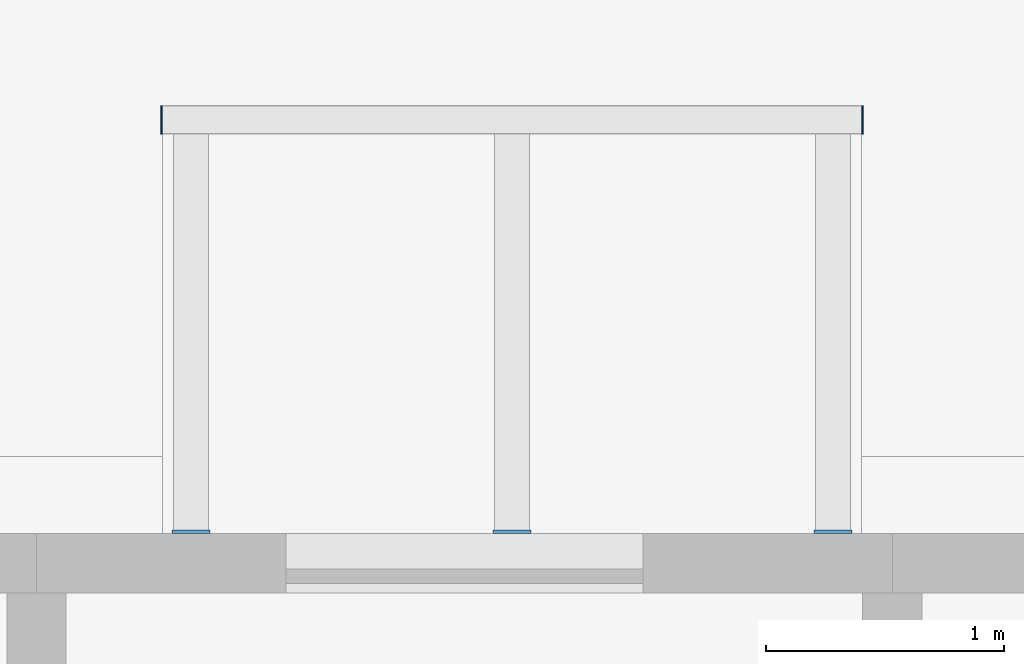
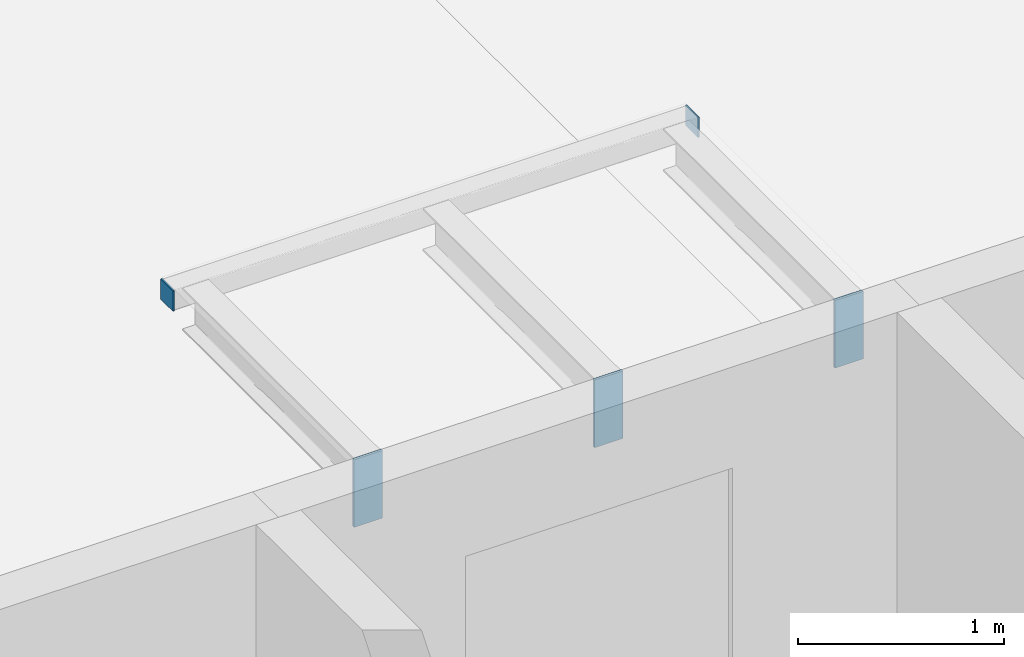
# One storey, part 86 of 112: 5 discrete accessories.
"""IFC4 building model written with IfcOpenShell, lengths in metres."""

import ifcopenshell
import ifcopenshell.guid

model = None  # the IFC model being written
_history = None  # IfcOwnerHistory: only IFC2X3 demands one
_inside = {}  # id of a spatial element -> (the spatial element, [elements in it])
_under = {}  # id of a project, library or spatial element -> (it, [spatial elements below it])
_declared = {}  # id of a project -> (the project, [libraries it declares])
_typed = {}  # id of a type object -> (the type object, [elements of that type])
_made_of = {}  # id of a material, layer set ... -> (it, [elements and type objects made of it])


def new_model(schema):
    """Start an empty IFC model of exactly this schema.

    Asked for "IFC4X3", IfcOpenShell would pick the latest addendum, in which some entities
    have other attributes; the version numbers below select the first issue.
    IFC2X3 requires an IfcOwnerHistory on every rooted entity: one is made here for all.
    """
    global model, _history
    if schema == "IFC4X3":
        model = ifcopenshell.file(schema_version=(4, 3, 0, 0))
    else:
        model = ifcopenshell.file(schema=schema)
    _inside.clear()
    _under.clear()
    _declared.clear()
    _typed.clear()
    _made_of.clear()
    _history = None
    if model.schema == "IFC2X3":
        org = make("IfcOrganization", Name="unknown")
        user = make(
            "IfcPersonAndOrganization",
            ThePerson=make("IfcPerson", FamilyName="unknown"),
            TheOrganization=org,
        )
        app = make(
            "IfcApplication",
            ApplicationDeveloper=org,
            Version="unknown",
            ApplicationFullName="unknown",
            ApplicationIdentifier="unknown",
        )
        _history = make(
            "IfcOwnerHistory",
            OwningUser=user,
            OwningApplication=app,
            ChangeAction="ADDED",
            CreationDate=0,
        )
    return model


def make(cls, **values):
    """One entity of the class cls with the attributes given. An attribute that is None is left unset."""
    return model.create_entity(
        cls, **{name: value for name, value in values.items() if value is not None}
    )


def rooted(cls, **values):
    """An entity with a GlobalId (a new one), such as an element, a storey or a relation."""
    return make(cls, GlobalId=ifcopenshell.guid.new(), OwnerHistory=_history, **values)


def si_unit(unit_type, name, prefix=None):
    """IfcSIUnit, for example si_unit("LENGTHUNIT", "METRE", prefix="MILLI")."""
    return make("IfcSIUnit", UnitType=unit_type, Prefix=prefix, Name=name)


def assignment(units):
    """IfcUnitAssignment: the units of a project."""
    return None if units is None else make("IfcUnitAssignment", Units=units)


def point(xyz):
    """IfcCartesianPoint."""
    return None if xyz is None else make("IfcCartesianPoint", Coordinates=xyz)


def direction(xyz):
    """IfcDirection."""
    return None if xyz is None else make("IfcDirection", DirectionRatios=xyz)


def frame(location, z_axis=None, x_axis=None):
    """IfcAxis2Placement3D, a coordinate frame: its origin and axes. An axis left out is left unset."""
    return make(
        "IfcAxis2Placement3D",
        Location=point(location),
        Axis=direction(z_axis),
        RefDirection=direction(x_axis),
    )


def frame_2d(location, x_axis=None):
    """IfcAxis2Placement2D, a coordinate frame in the plane: its origin and x axis."""
    return make(
        "IfcAxis2Placement2D", Location=point(location), RefDirection=direction(x_axis)
    )


def origin():
    """The frame at (0, 0, 0) with its axes left unset."""
    return frame((0.0, 0.0, 0.0))


def origin_2d():
    """The frame at (0, 0) in the plane with its x axis left unset."""
    return frame_2d((0.0, 0.0))


def place(relative_to, where):
    """IfcLocalPlacement: puts the frame where relative to a parent placement (None: the world)."""
    return make(
        "IfcLocalPlacement", PlacementRelTo=relative_to, RelativePlacement=where
    )


def context(
    kind, dimensions, precision=None, world=None, true_north=None, identifier=None
):
    """IfcGeometricRepresentationContext, for example the 3D "Model" context."""
    return make(
        "IfcGeometricRepresentationContext",
        ContextIdentifier=identifier,
        ContextType=kind,
        CoordinateSpaceDimension=dimensions,
        Precision=precision,
        WorldCoordinateSystem=world,
        TrueNorth=true_north,
    )


def subcontext(parent, identifier, kind, view, scale=None):
    """IfcGeometricRepresentationSubContext, for example "Body" below "Model"."""
    return make(
        "IfcGeometricRepresentationSubContext",
        ContextIdentifier=identifier,
        ContextType=kind,
        ParentContext=parent,
        TargetScale=scale,
        TargetView=view,
    )


def project(units=None, contexts=None):
    """IfcProject with its units and contexts."""
    return rooted(
        "IfcProject",
        Name="project",
        RepresentationContexts=contexts,
        UnitsInContext=assignment(units),
    )


def spatial(cls, under=None, at=None, **own):
    """A site, building, storey or space (cls), placed at a placement, below another one or the project."""
    s = rooted(cls, ObjectPlacement=at, **own)
    if under is not None:
        _under.setdefault(under.id(), (under, []))[1].append(s)
    return s


def profile(cls, at=None, kind="AREA", **sizes):
    """A parametric profile (cls). Its sizes go by their IFC names, for example OverallWidth=200.0."""
    return make(cls, ProfileType=kind, Position=at, **sizes)


def rectangle(**sizes):
    """IfcRectangleProfileDef."""
    return profile("IfcRectangleProfileDef", **sizes)


def extrude(swept, where, along, depth):
    """IfcExtrudedAreaSolid: the profile swept, set in the frame where, extruded along a direction by depth."""
    return make(
        "IfcExtrudedAreaSolid",
        SweptArea=swept,
        Position=where,
        ExtrudedDirection=direction(along),
        Depth=depth,
    )


def shape(context_of_items, identifier, shape_type, items):
    """IfcShapeRepresentation: the items that make up one representation, for example the "Body"."""
    return make(
        "IfcShapeRepresentation",
        ContextOfItems=context_of_items,
        RepresentationIdentifier=identifier,
        RepresentationType=shape_type,
        Items=items,
    )


def material(Name=None, Category=None):
    """IfcMaterial."""
    return make("IfcMaterial", Name=Name, Category=Category)


def layer(
    of_material, thickness, ventilated=None, Name=None, Category=None, Priority=None
):
    """IfcMaterialLayer: one layer of a wall or slab, of a material (None: an air gap)."""
    return make(
        "IfcMaterialLayer",
        Material=of_material,
        LayerThickness=thickness,
        IsVentilated=ventilated,
        Name=Name,
        Category=Category,
        Priority=Priority,
    )


def layer_set(layers, Name=None):
    """IfcMaterialLayerSet."""
    return make("IfcMaterialLayerSet", MaterialLayers=layers, LayerSetName=Name)


def made_of(thing, what):
    """Note that an element or type object is made of a material, layer set ...; save() writes the relation."""
    if what is not None:
        _made_of.setdefault(what.id(), (what, []))[1].append(thing)
    return thing


def type_object(cls, material=None, **own):
    """A type object (cls), such as IfcWallType, which elements share."""
    return made_of(rooted(cls, **own), material)


def element(
    cls,
    number,
    at=None,
    inside=None,
    cuts=None,
    type_object=None,
    material=None,
    context=None,
    identifier="Body",
    shape_type=None,
    held_by="IfcProductDefinitionShape",
    body=None,
    shapes=None,
    **own,
):
    """One element of the class cls, such as IfcWall. Its Tag is "e" and its number.

    at: its placement. inside: the storey or other place that contains it. cuts: it is an
    opening in that element (IfcRelVoidsElement). A single representation is given by context,
    identifier, shape_type and body (its items); several are given by shapes. held_by: the class
    of the entity that holds the representations. save() writes the other relations.
    """
    e = rooted(cls, Tag="e%d" % number, ObjectPlacement=at, **own)
    if body is not None:
        shapes = [shape(context, identifier, shape_type, body)]
    if shapes is not None:
        e.Representation = make(held_by, Representations=shapes)
    if inside is not None:
        _inside.setdefault(inside.id(), (inside, []))[1].append(e)
    if cuts is not None:
        rooted(
            "IfcRelVoidsElement", RelatingBuildingElement=cuts, RelatedOpeningElement=e
        )
    if type_object is not None:
        _typed.setdefault(type_object.id(), (type_object, []))[1].append(e)
    return made_of(e, material)


def aggregate(whole, parts):
    """IfcRelAggregates: a whole, such as a stair, and the parts it consists of."""
    return rooted("IfcRelAggregates", RelatingObject=whole, RelatedObjects=parts)


def save(model, path):
    """Write the relations noted so far, then the file.

    IfcRelAggregates (storeys below a building ...), IfcRelContainedInSpatialStructure (elements
    in a storey), IfcRelDefinesByType, IfcRelAssociatesMaterial and IfcRelDeclares: one each for
    every whole, place, type object, material and project.
    """
    for whole, parts in _under.values():
        aggregate(whole, parts)
    for where, things in _inside.values():
        rooted(
            "IfcRelContainedInSpatialStructure",
            RelatedElements=things,
            RelatingStructure=where,
        )
    for kind, things in _typed.values():
        rooted("IfcRelDefinesByType", RelatedObjects=things, RelatingType=kind)
    for what, things in _made_of.values():
        rooted("IfcRelAssociatesMaterial", RelatedObjects=things, RelatingMaterial=what)
    for by, libraries in _declared.values():
        rooted("IfcRelDeclares", RelatingContext=by, RelatedDefinitions=libraries)
    model.write(path)


model = new_model("IFC4")

# Units and contexts
model_context = context("Model", 3, precision=1e-05, world=origin(), true_north=direction((0.0, 1.0)))
body_context = subcontext(model_context, "Body", "Model", "MODEL_VIEW")
ifc_project = project(units=[si_unit("LENGTHUNIT", "METRE"), si_unit("AREAUNIT", "SQUARE_METRE"), si_unit("VOLUMEUNIT", "CUBIC_METRE"), si_unit("PLANEANGLEUNIT", "RADIAN"), si_unit("MASSUNIT", "GRAM", prefix="KILO")], contexts=[model_context])

# Site, building, storey
site_placement = place(None, origin())
site = spatial("IfcSite", under=ifc_project, at=site_placement, CompositionType="ELEMENT")
building_placement = place(site_placement, origin())
building = spatial("IfcBuilding", under=site, at=building_placement, Name="Ridgestep Commons", CompositionType="ELEMENT")
storey_placement = place(building_placement, origin())
storey = spatial("IfcBuildingStorey", under=building, at=storey_placement, Name="L00", CompositionType="ELEMENT", Elevation=0.0)

# Discrete accessories
ifc_material_1 = material(Name="Weathering steel S355J2W", Category="steel")
ifc_layer_1 = layer(ifc_material_1, 0.014892578125)
ifc_layer_set_1 = layer_set([ifc_layer_1], Name="Tray bracket plate 15")
discrete_accessory_type_1 = type_object("IfcDiscreteAccessoryType", Name="Tray bracket plate 15", PredefinedType="BRACKET", material=ifc_layer_set_1)
for number, where, z_axis, x_axis, name in (
    (1, (190.64990234375, 77.257568359375, 2.588623046875), (0.0, 0.0, 1.0), (1.0, 0.0, 0.0), "Tray bracket C3T2-01.1"),
    (2, (192.0, 77.257568359375, 2.588623046875), (0.0, 0.0, 1.0), (1.0, 0.0, 0.0), "Tray bracket C3T2-01.2"),
    (3, (193.35009765625, 77.257568359375, 2.588623046875), (0.0, 0.0, 1.0), (1.0, 0.0, 0.0), "Tray bracket C3T2-01.3"),
):
    element("IfcDiscreteAccessory", number, at=place(storey_placement, frame(where, z_axis=z_axis, x_axis=x_axis)), inside=storey, type_object=discrete_accessory_type_1, Name=name, PredefinedType="BRACKET", context=body_context, shape_type="SweptSolid", body=[
        extrude(rectangle(XDim=0.159912109375, YDim=0.014892578125, at=origin_2d()), origin(), (0.0, 0.0, 1.0), 0.4013671875),
    ])
ifc_material_2 = material(Name="Weathering steel S355J2W", Category="steel")
ifc_layer_2 = layer(ifc_material_2, 0.008056640625)
ifc_layer_set_2 = layer_set([ifc_layer_2], Name="Tray edge member end plate 120 x 120 x 8")
discrete_accessory_type_2 = type_object("IfcDiscreteAccessoryType", Name="Tray edge member end plate 120 x 120 x 8", PredefinedType="BRACKET", material=ifc_layer_set_2)
for number, where, z_axis, x_axis, name in (
    (4, (190.52587890625, 78.989990234375, 2.869873046875), (0.0, 0.0, 1.0), (1.0, 0.0, 0.0), "Tray edge member end plate C3T2-01 west"),
    (5, (193.47412109375, 78.989990234375, 2.869873046875), (0.0, 0.0, 1.0), (1.0, 0.0, 0.0), "Tray edge member end plate C3T2-01 east"),
):
    element("IfcDiscreteAccessory", number, at=place(storey_placement, frame(where, z_axis=z_axis, x_axis=x_axis)), inside=storey, type_object=discrete_accessory_type_2, Name=name, PredefinedType="BRACKET", context=body_context, shape_type="SweptSolid", body=[
        extrude(rectangle(XDim=0.008056640625, YDim=0.1201171875, at=origin_2d()), origin(), (0.0, 0.0, 1.0), 0.1201171875),
    ])

save(model, "model.ifc")
